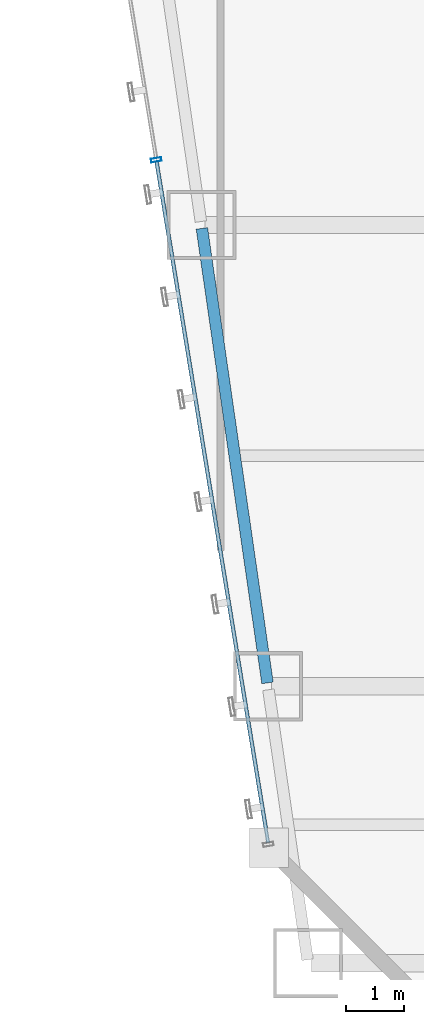
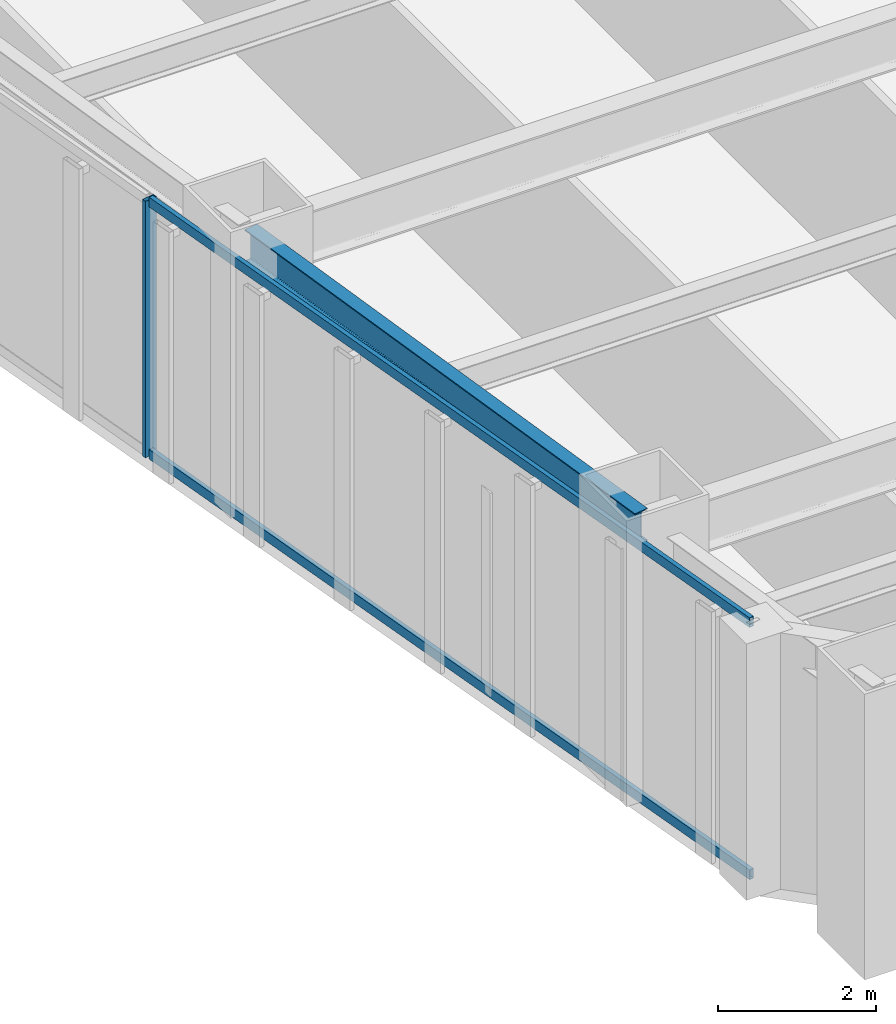
# One storey, part 5 of 47: 3 members, 1 beam, 1 element without a shape of its own.
"""IFC4 building model written with IfcOpenShell, lengths in metres."""

from ifc_helpers import new_model, si_unit, direction, frame, origin, origin_2d, place, context, subcontext, project, spatial, hollow_rectangle, i_section, extrude, material, material_profile, profile_set, type_object, element, aggregate, save


model = new_model("IFC4")

# Units and contexts
model_context = context("Model", 3, precision=1e-05, world=origin(), true_north=direction((0.0, 1.0)))
body_context = subcontext(model_context, "Body", "Model", "MODEL_VIEW")
ifc_project = project(units=[si_unit("LENGTHUNIT", "METRE"), si_unit("AREAUNIT", "SQUARE_METRE"), si_unit("VOLUMEUNIT", "CUBIC_METRE"), si_unit("PLANEANGLEUNIT", "RADIAN"), si_unit("MASSUNIT", "GRAM", prefix="KILO")], contexts=[model_context])

# Site, building, storey
site_placement = place(None, origin())
site = spatial("IfcSite", under=ifc_project, at=site_placement, CompositionType="ELEMENT")
building_placement = place(site_placement, origin())
building = spatial("IfcBuilding", under=site, at=building_placement, Name="Saevonmaru Cultural Tower", CompositionType="ELEMENT")
storey_placement = place(building_placement, frame((0.0, 0.0, 82.39990234375)))
storey = spatial("IfcBuildingStorey", under=building, at=storey_placement, Name="L17", CompositionType="ELEMENT", Elevation=82.39990234375)

# Beam
ifc_material_1 = material(Name="Steel SM355", Category="steel")
ifc_material_profile_1 = material_profile(ifc_material_1, i_section(OverallWidth=0.199951171875, OverallDepth=0.5, WebThickness=0.010009765625, FlangeThickness=0.01611328125, FilletRadius=0.02001953125, at=origin_2d()), Name="H-500x200x10x16")
ifc_profile_set_1 = profile_set([ifc_material_profile_1], Name="Steel SM355")
beam_type = type_object("IfcBeamType", Name="BM-SP-H500", PredefinedType="SPANDREL", material=ifc_profile_set_1)
beam_placement = place(storey_placement, frame((11.7744140625, 8.059326171875, 3.7001953125), z_axis=(-0.142871999001, 0.989741174197, 0.0), x_axis=(-0.989741174197, -0.142871999001, 0.0)))
element("IfcBeam", 1, at=beam_placement, inside=storey, type_object=beam_type, Name="L17 West Splayed Spandrel 2", PredefinedType="SPANDREL", context=body_context, shape_type="SweptSolid", body=[
    extrude(i_section(OverallWidth=0.199951171875, OverallDepth=0.5, WebThickness=0.010009765625, FlangeThickness=0.01611328125, FilletRadius=0.02001953125, at=origin_2d()), origin(), (0.0, 0.0, 1.0), 7.963134765625),
])

# Curtain wall, members
ifc_material_2 = material(Name="Satin Bronze Anodised Aluminium", Category="aluminium")
curtain_wall_type = type_object("IfcCurtainWallType", Name="CW-TYP-A", PredefinedType="NOTDEFINED", material=ifc_material_2)
curtain_wall_placement = place(storey_placement, origin())
curtain_wall = element("IfcCurtainWall", 2, at=curtain_wall_placement, inside=storey, type_object=curtain_wall_type, Name="L17 Unitised Curtain Wall E12", PredefinedType="NOTDEFINED")
ifc_material_profile_2 = material_profile(ifc_material_2, hollow_rectangle(XDim=0.06494140625, YDim=0.179931640625, WallThickness=0.00390625, at=origin_2d()), Name="ALU-MULL-180x65x4")
ifc_profile_set_2 = profile_set([ifc_material_profile_2], Name="Satin Bronze Anodised Aluminium")
member_type_1 = type_object("IfcMemberType", Name="ML-CW-180x65", PredefinedType="MULLION", material=ifc_profile_set_2)
member_1_placement = place(storey_placement, frame((9.84521484375, 17.129638671875, 0.0), z_axis=(0.0, 0.0, 1.0), x_axis=(0.161708868641, -0.986838508472, 0.0)))
member_1 = element("IfcMember", 3, at=member_1_placement, type_object=member_type_1, Name="CW-TW-L17-E12 mullion 4", PredefinedType="MULLION", context=body_context, shape_type="SweptSolid", body=[
    extrude(hollow_rectangle(XDim=0.06494140625, YDim=0.179931640625, WallThickness=0.00390625, at=origin_2d()), origin(), (0.0, 0.0, 1.0), 3.9501953125),
])
ifc_material_profile_3 = material_profile(ifc_material_2, hollow_rectangle(XDim=0.06494140625, YDim=0.14990234375, WallThickness=0.00390625, at=origin_2d()), Name="ALU-TRAN-150x65x4")
ifc_profile_set_3 = profile_set([ifc_material_profile_3], Name="Satin Bronze Anodised Aluminium")
member_type_2 = type_object("IfcMemberType", Name="TR-CW-150x65", PredefinedType="USERDEFINED", material=ifc_profile_set_3)
member_2_placement = place(storey_placement, frame((9.850341796875, 17.097412109375, 0.03271484375), z_axis=(0.161724530373, -0.986835941925, 0.0), x_axis=(0.986835941925, 0.161724530373, 0.0)))
member_2 = element("IfcMember", 4, at=member_2_placement, type_object=member_type_2, Name="CW-TW-L17-E12 transom 4.1", ObjectType="TRANSOM", PredefinedType="USERDEFINED", context=body_context, shape_type="SweptSolid", body=[
    extrude(hollow_rectangle(XDim=0.06494140625, YDim=0.14990234375, WallThickness=0.00390625, at=origin_2d()), origin(), (0.0, 0.0, 1.0), 11.963623046875),
])
member_3_placement = place(storey_placement, frame((9.850341796875, 17.097412109375, 3.91748046875), z_axis=(0.161724530373, -0.986835941925, 0.0), x_axis=(0.986835941925, 0.161724530373, 0.0)))
member_3 = element("IfcMember", 5, at=member_3_placement, type_object=member_type_2, Name="CW-TW-L17-E12 transom 4.2", ObjectType="TRANSOM", PredefinedType="USERDEFINED", context=body_context, shape_type="SweptSolid", body=[
    extrude(hollow_rectangle(XDim=0.06494140625, YDim=0.14990234375, WallThickness=0.00390625, at=origin_2d()), origin(), (0.0, 0.0, 1.0), 11.963623046875),
])
aggregate(curtain_wall, [member_1, member_2, member_3])

save(model, "model.ifc")
